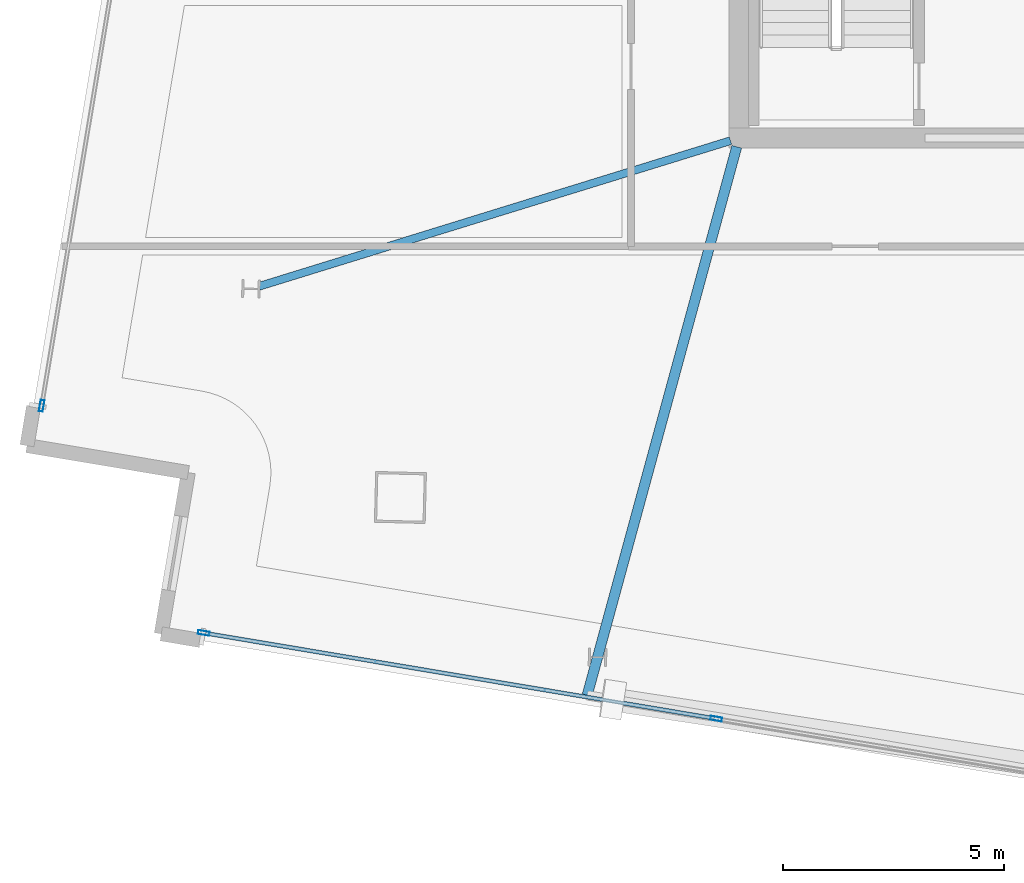
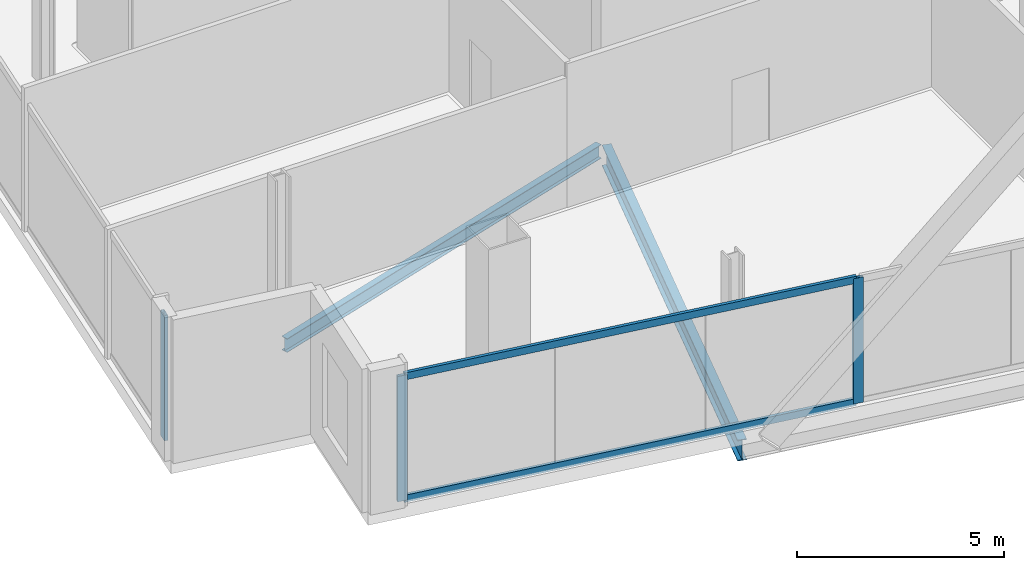
# One storey, part 2 of 18: 5 members, 2 beams, 2 elements without a shape of their own.
"""IFC4 building model written with IfcOpenShell, lengths in metres."""

from ifc_helpers import new_model, si_unit, direction, frame, origin, origin_2d, place, context, subcontext, project, spatial, hollow_rectangle, i_section, extrude, material, material_profile, profile_set, type_object, element, aggregate, save


model = new_model("IFC4")

# Units and contexts
model_context = context("Model", 3, precision=1e-05, world=origin(), true_north=direction((0.0, 1.0)))
body_context = subcontext(model_context, "Body", "Model", "MODEL_VIEW")
ifc_project = project(units=[si_unit("LENGTHUNIT", "METRE"), si_unit("AREAUNIT", "SQUARE_METRE"), si_unit("VOLUMEUNIT", "CUBIC_METRE"), si_unit("PLANEANGLEUNIT", "RADIAN"), si_unit("MASSUNIT", "GRAM", prefix="KILO")], contexts=[model_context])

# Site, building, storey
site_placement = place(None, origin())
site = spatial("IfcSite", under=ifc_project, at=site_placement, CompositionType="ELEMENT")
building_placement = place(site_placement, origin())
building = spatial("IfcBuilding", under=site, at=building_placement, Name="Haldenkirk Collegiate Tower", CompositionType="ELEMENT")
storey_placement = place(building_placement, frame((0.0, 0.0, 298.199951171875)))
storey = spatial("IfcBuildingStorey", under=building, at=storey_placement, Name="L75", CompositionType="ELEMENT", Elevation=298.199951171875)

# Beams
ifc_material_1 = material(Name="Steel ASTM A992 Grade 50", Category="steel")
ifc_material_profile_1 = material_profile(ifc_material_1, i_section(OverallWidth=0.22998046875, OverallDepth=0.616943359375, WebThickness=0.01318359375, FlangeThickness=0.022216796875, at=origin_2d()), Name="W24X94")
ifc_profile_set_1 = profile_set([ifc_material_profile_1], Name="Steel ASTM A992 Grade 50")
beam_type_1 = type_object("IfcBeamType", Name="BM-GIRDER-W24X94", PredefinedType="BEAM", material=ifc_profile_set_1)
beam_1_placement = place(storey_placement, frame((23.561279296875, 5.390380859375, -0.70849609375), z_axis=(0.263096531078, 0.964769514099, 0.0), x_axis=(-0.964769514099, 0.263096531078, 0.0)))
element("IfcBeam", 1, at=beam_1_placement, inside=storey, type_object=beam_type_1, Name="L75 primary floor girder 14", PredefinedType="BEAM", context=body_context, shape_type="SweptSolid", body=[
    extrude(i_section(OverallWidth=0.22998046875, OverallDepth=0.616943359375, WebThickness=0.01318359375, FlangeThickness=0.022216796875, at=origin_2d()), origin(), (0.0, 0.0, 1.0), 12.864990234375),
])
ifc_material_profile_2 = material_profile(ifc_material_1, i_section(OverallWidth=0.177978515625, OverallDepth=0.406005859375, WebThickness=0.0078125, FlangeThickness=0.0126953125, at=origin_2d()), Name="W16X40")
ifc_profile_set_2 = profile_set([ifc_material_profile_2], Name="Steel ASTM A992 Grade 50")
beam_type_2 = type_object("IfcBeamType", Name="BM-JOIST-W16X40", PredefinedType="JOIST", material=ifc_profile_set_2)
beam_2_placement = place(storey_placement, frame((16.134521484375, 14.64306640625, -0.60302734375), z_axis=(0.955440875215, 0.295182543467, 0.0), x_axis=(-0.295182543467, 0.955440875215, 0.0)))
element("IfcBeam", 2, at=beam_2_placement, inside=storey, type_object=beam_type_2, Name="L75 composite floor joist 13", PredefinedType="JOIST", context=body_context, shape_type="SweptSolid", body=[
    extrude(i_section(OverallWidth=0.177978515625, OverallDepth=0.406005859375, WebThickness=0.0078125, FlangeThickness=0.0126953125, at=origin_2d()), origin(), (0.0, 0.0, 1.0), 11.167236328125),
])

# Curtain wall, member
ifc_material_2 = material(Name="Anodised architectural bronze aluminium", Category="aluminium")
curtain_wall_type = type_object("IfcCurtainWallType", Name="CW-SYS4-SKYGARDEN", PredefinedType="USERDEFINED", material=ifc_material_2)
curtain_wall_1_placement = place(storey_placement, origin())
curtain_wall_1 = element("IfcCurtainWall", 3, at=curtain_wall_1_placement, inside=storey, type_object=curtain_wall_type, Name="L75 Sky-garden tall bronze curtain wall", ObjectType="UNITISED CURTAIN WALL", PredefinedType="USERDEFINED")
ifc_material_profile_3 = material_profile(ifc_material_2, hollow_rectangle(XDim=0.090087890625, YDim=0.260009765625, WallThickness=0.0048828125, at=origin_2d()), Name="CW-MUL-04")
ifc_profile_set_3 = profile_set([ifc_material_profile_3], Name="Anodised architectural bronze aluminium")
member_type_1 = type_object("IfcMemberType", Name="CW-MUL-04", PredefinedType="MULLION", material=ifc_profile_set_3)
member_1_placement = place(storey_placement, frame((11.2197265625, 11.942138671875, 0.0), z_axis=(0.0, 0.0, 1.0), x_axis=(-0.986285150019, 0.165050304006, 0.0)))
member_1 = element("IfcMember", 4, at=member_1_placement, type_object=member_type_1, Name="CW-04 mullion 1", PredefinedType="MULLION", context=body_context, shape_type="SweptSolid", body=[
    extrude(hollow_rectangle(XDim=0.090087890625, YDim=0.260009765625, WallThickness=0.0048828125, at=origin_2d()), origin(), (0.0, 0.0, 1.0), 3.697998046875),
])
aggregate(curtain_wall_1, [member_1])

# Curtain wall, members
curtain_wall_2_placement = place(storey_placement, origin())
curtain_wall_2 = element("IfcCurtainWall", 5, at=curtain_wall_2_placement, inside=storey, type_object=curtain_wall_type, Name="L75 Sky-garden tall bronze curtain wall", ObjectType="UNITISED CURTAIN WALL", PredefinedType="USERDEFINED")
member_2_placement = place(storey_placement, frame((26.48046875, 4.861328125, 0.0), z_axis=(0.0, 0.0, 1.0), x_axis=(-0.165048518423, -0.986285448826, 0.0)))
member_2 = element("IfcMember", 6, at=member_2_placement, type_object=member_type_1, Name="CW-04 mullion 3", PredefinedType="MULLION", context=body_context, shape_type="SweptSolid", body=[
    extrude(hollow_rectangle(XDim=0.090087890625, YDim=0.260009765625, WallThickness=0.0048828125, at=origin_2d()), origin(), (0.0, 0.0, 1.0), 3.697998046875),
])
member_3_placement = place(storey_placement, frame((14.88671875, 6.80126953125, 0.0), z_axis=(0.0, 0.0, 1.0), x_axis=(-0.165048518423, -0.986285448826, 0.0)))
member_3 = element("IfcMember", 7, at=member_3_placement, type_object=member_type_1, Name="CW-04 mullion 4", PredefinedType="MULLION", context=body_context, shape_type="SweptSolid", body=[
    extrude(hollow_rectangle(XDim=0.090087890625, YDim=0.260009765625, WallThickness=0.0048828125, at=origin_2d()), origin(), (0.0, 0.0, 1.0), 3.697998046875),
])
ifc_material_profile_4 = material_profile(ifc_material_2, hollow_rectangle(XDim=0.090087890625, YDim=0.2099609375, WallThickness=0.0048828125, at=origin_2d()), Name="CW-TRN-04")
ifc_profile_set_4 = profile_set([ifc_material_profile_4], Name="Anodised architectural bronze aluminium")
member_type_2 = type_object("IfcMemberType", Name="CW-TRN-04", PredefinedType="USERDEFINED", material=ifc_profile_set_4)
member_4_placement = place(storey_placement, frame((26.43603515625, 4.86865234375, 0.045166015625), z_axis=(-0.98628510108, 0.16505059645, 0.0), x_axis=(-0.16505059645, -0.98628510108, 0.0)))
member_4 = element("IfcMember", 8, at=member_4_placement, type_object=member_type_2, Name="CW-04 transom 3.1", ObjectType="TRANSOM", PredefinedType="USERDEFINED", context=body_context, shape_type="SweptSolid", body=[
    extrude(hollow_rectangle(XDim=0.090087890625, YDim=0.2099609375, WallThickness=0.0048828125, at=origin_2d()), origin(), (0.0, 0.0, 1.0), 11.664794921875),
])
member_5_placement = place(storey_placement, frame((26.43603515625, 4.86865234375, 3.653076171875), z_axis=(-0.98628510108, 0.16505059645, 0.0), x_axis=(-0.16505059645, -0.98628510108, 0.0)))
member_5 = element("IfcMember", 9, at=member_5_placement, type_object=member_type_2, Name="CW-04 transom 3.2", ObjectType="TRANSOM", PredefinedType="USERDEFINED", context=body_context, shape_type="SweptSolid", body=[
    extrude(hollow_rectangle(XDim=0.090087890625, YDim=0.2099609375, WallThickness=0.0048828125, at=origin_2d()), origin(), (0.0, 0.0, 1.0), 11.664794921875),
])
aggregate(curtain_wall_2, [member_2, member_3, member_4, member_5])

save(model, "model.ifc")
